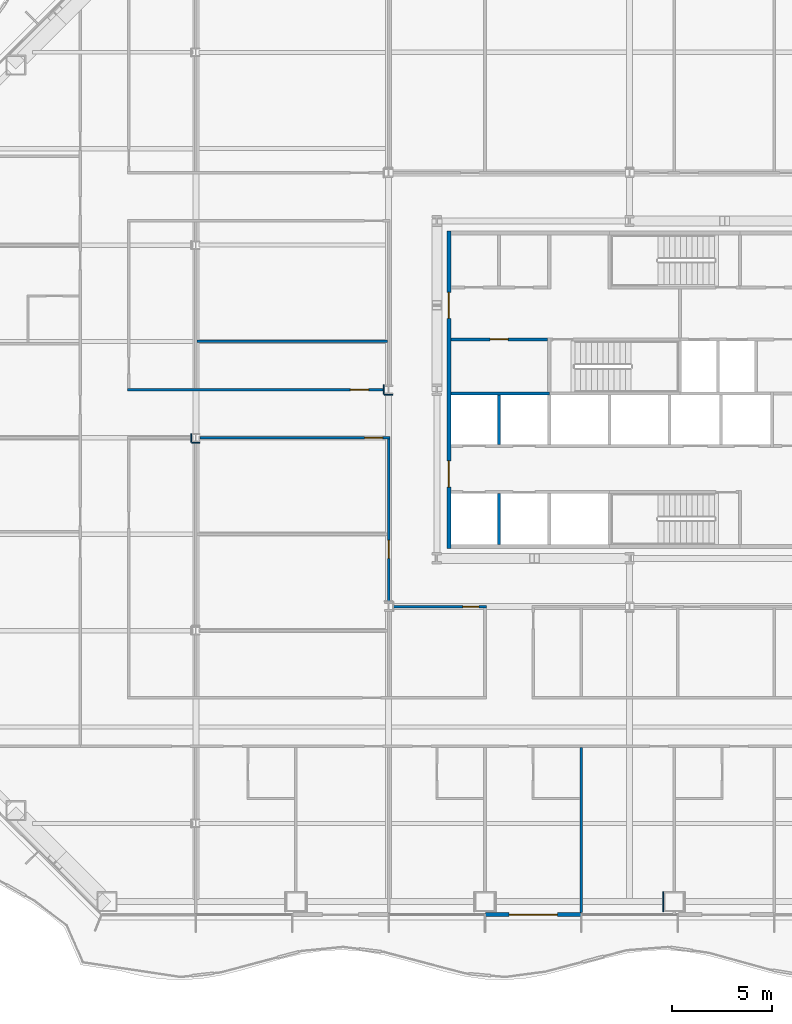
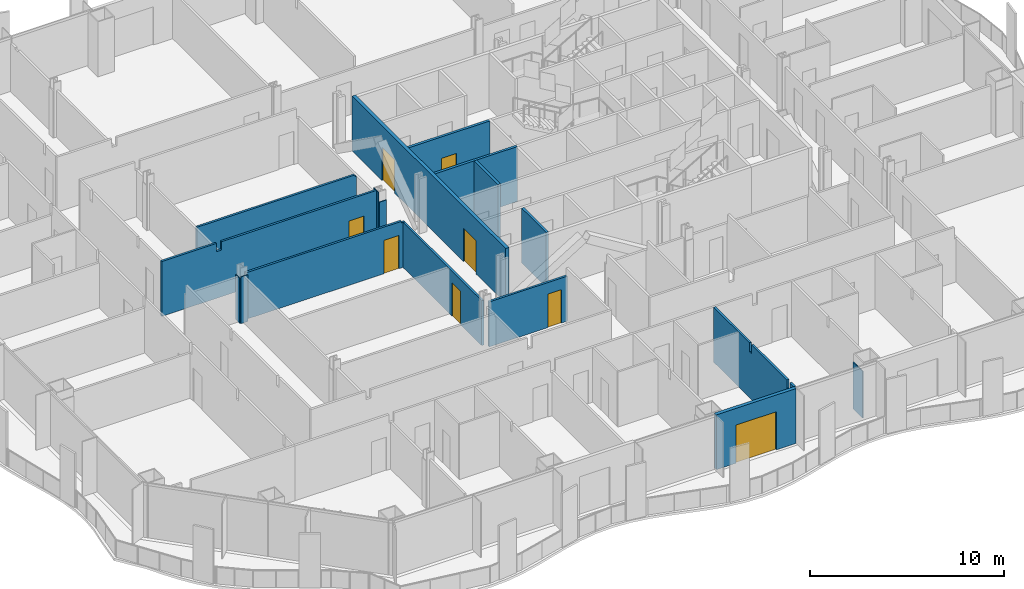
# One storey, part 8 of 21: 17 walls, 8 doors, 8 openings.
"""IFC4 building model written with IfcOpenShell, lengths in metres."""

from ifc_helpers import new_model, si_unit, direction, frame, frame_2d, origin, place, context, subcontext, project, spatial, polyline, rectangle, outline, extrude, material, layer, layer_set, type_object, element, fill, save


model = new_model("IFC4")

# Units and contexts
model_context = context("Model", 3, precision=1e-05, world=origin(), true_north=direction((0.0, 1.0)))
body_context = subcontext(model_context, "Body", "Model", "MODEL_VIEW")
ifc_project = project(units=[si_unit("LENGTHUNIT", "METRE"), si_unit("AREAUNIT", "SQUARE_METRE"), si_unit("VOLUMEUNIT", "CUBIC_METRE"), si_unit("PLANEANGLEUNIT", "RADIAN"), si_unit("MASSUNIT", "GRAM", prefix="KILO")], contexts=[model_context])

# Site, building, storey
site_placement = place(None, origin())
site = spatial("IfcSite", under=ifc_project, at=site_placement, CompositionType="ELEMENT")
building_placement = place(site_placement, origin())
building = spatial("IfcBuilding", under=site, at=building_placement, Name="Cairn Pilgrim Tower", CompositionType="ELEMENT")
storey_placement = place(building_placement, frame((0.0, 0.0, 43.800048828125)))
storey = spatial("IfcBuildingStorey", under=building, at=storey_placement, Name="L08", CompositionType="ELEMENT", Elevation=43.800048828125)

# Wall, opening, door
ifc_material_1 = material(Name="Bronze anodised aluminium insulated sandwich panel with mineral wool fill", Category="aluminium")
ifc_layer_1 = layer(ifc_material_1, 0.199951171875)
ifc_layer_set_1 = layer_set([ifc_layer_1], Name="BRONZE INFILL FRAME WALL 200")
wall_type_1 = type_object("IfcWallType", Name="BRONZE INFILL FRAME WALL 200", PredefinedType="NOTDEFINED", material=ifc_layer_set_1)
wall_1_placement = place(storey_placement, frame((0.030029296875, -23.75, 0.0), z_axis=(0.0, 0.0, 1.0), x_axis=(1.0, 0.0, 0.0)))
wall_1 = element("IfcWall", 1, at=wall_1_placement, inside=storey, type_object=wall_type_1, Name="Bronze infill frame wall IW-S5", PredefinedType="NOTDEFINED", context=body_context, shape_type="SweptSolid", body=[
    extrude(rectangle(XDim=4.739990234375, YDim=0.199951171875, at=frame_2d((2.3701171875, 0.0))), origin(), (0.0, 0.0, 1.0), 3.449951171875),
])
opening_1_placement = place(wall_1_placement, frame((1.169921875, 0.0, 0.0)))
opening_1 = element("IfcOpeningElement", 2, at=opening_1_placement, cuts=wall_1, Name="Opening 0805B", PredefinedType="OPENING", context=body_context, shape_type="SweptSolid", body=[
    extrude(rectangle(XDim=2.39990234375, YDim=2.39990234375, at=frame_2d((1.199951171875, 1.199951171875))), frame((0.0, 0.10986328125, 0.0), z_axis=(0.0, -1.0, 0.0), x_axis=(1.0, 0.0, 0.0)), (0.0, 0.0, 1.0), 0.219970703125),
])
ifc_material_2 = material(Name="Bronze anodised aluminium frame with tinted low-E glass", Category="aluminium")
door_type_1 = type_object("IfcDoorType", Name="BALCONY SLIDING DOOR 2400x2400", OperationType="DOUBLE_DOOR_SLIDING", PredefinedType="DOOR", material=ifc_material_2)
door_1_placement = place(opening_1_placement, origin())
door_1 = element("IfcDoor", 3, at=door_1_placement, inside=storey, type_object=door_type_1, Name="Balcony sliding door 0805B", OperationType="SINGLE_SWING_LEFT", OverallHeight=2.39990234375, OverallWidth=2.39990234375, PredefinedType="DOOR", context=body_context, shape_type="SweptSolid", body=[
    extrude(rectangle(XDim=2.39990234375, YDim=2.39990234375, at=frame_2d((1.199951171875, 1.199951171875))), frame((0.0, 0.02490234375, 0.0), z_axis=(0.0, -1.0, 0.0), x_axis=(1.0, 0.0, 0.0)), (0.0, 0.0, 1.0), 0.050048828125),
])
fill(opening_1, door_1)

# Wall, openings, doors
ifc_material_3 = material(Name="Concrete C32/40", Category="concrete")
ifc_layer_2 = layer(ifc_material_3, 0.199951171875)
ifc_layer_set_2 = layer_set([ifc_layer_2], Name="CORE OUTER WALL 200 EI 120")
wall_type_2 = type_object("IfcWallType", Name="CORE OUTER WALL 200 EI 120", PredefinedType="SOLIDWALL", material=ifc_layer_set_2)
wall_2_placement = place(storey_placement, frame((-1.800048828125, -5.5, 0.0), z_axis=(0.0, 0.0, 1.0), x_axis=(0.0, 1.0, 0.0)))
wall_2 = element("IfcWall", 4, at=wall_2_placement, inside=storey, type_object=wall_type_2, Name="CW:L08:V12", PredefinedType="SOLIDWALL", context=body_context, shape_type="SweptSolid", body=[
    extrude(rectangle(XDim=15.800048828125, YDim=0.199951171875, at=frame_2d((7.89990234375, 0.0))), origin(), (0.0, 0.0, 1.0), 3.449951171875),
])
opening_2_placement = place(wall_2_placement, frame((3.050048828125, 0.0, 0.0)))
opening_2 = element("IfcOpeningElement", 5, at=opening_2_placement, cuts=wall_2, Name="Opening CD-W1", PredefinedType="OPENING", context=body_context, shape_type="SweptSolid", body=[
    extrude(rectangle(XDim=1.300048828125, YDim=2.10009765625, at=frame_2d((0.64990234375, 1.050048828125))), frame((0.0, 0.10986328125, 0.0), z_axis=(0.0, -1.0, 0.0), x_axis=(1.0, 0.0, 0.0)), (0.0, 0.0, 1.0), 0.219970703125),
])
opening_3_placement = place(wall_2_placement, frame((11.449951171875, 0.0, 0.0)))
opening_3 = element("IfcOpeningElement", 6, at=opening_3_placement, cuts=wall_2, Name="Opening CD-W2", PredefinedType="OPENING", context=body_context, shape_type="SweptSolid", body=[
    extrude(rectangle(XDim=1.300048828125, YDim=2.10009765625, at=frame_2d((0.64990234375, 1.050048828125))), frame((0.0, 0.10986328125, 0.0), z_axis=(0.0, -1.0, 0.0), x_axis=(1.0, 0.0, 0.0)), (0.0, 0.0, 1.0), 0.219970703125),
])
ifc_material_4 = material(Name="Painted steel", Category="steel")
door_type_2 = type_object("IfcDoorType", Name="CORE LOBBY DOOR 1300x2100", OperationType="DOUBLE_DOOR_SINGLE_SWING", PredefinedType="DOOR", material=ifc_material_4)
door_2_placement = place(opening_2_placement, origin())
door_2 = element("IfcDoor", 7, at=door_2_placement, inside=storey, type_object=door_type_2, Name="CD-W1", OperationType="DOUBLE_DOOR_SINGLE_SWING", OverallHeight=2.10009765625, OverallWidth=1.300048828125, PredefinedType="DOOR", context=body_context, shape_type="SweptSolid", body=[
    extrude(rectangle(XDim=1.300048828125, YDim=2.10009765625, at=frame_2d((0.64990234375, 1.050048828125))), frame((0.0, 0.02490234375, 0.0), z_axis=(0.0, -1.0, 0.0), x_axis=(1.0, 0.0, 0.0)), (0.0, 0.0, 1.0), 0.050048828125),
])
fill(opening_2, door_2)
door_3_placement = place(opening_3_placement, origin())
door_3 = element("IfcDoor", 8, at=door_3_placement, inside=storey, type_object=door_type_2, Name="CD-W2", OperationType="DOUBLE_DOOR_SINGLE_SWING", OverallHeight=2.10009765625, OverallWidth=1.300048828125, PredefinedType="DOOR", context=body_context, shape_type="SweptSolid", body=[
    extrude(rectangle(XDim=1.300048828125, YDim=2.10009765625, at=frame_2d((0.64990234375, 1.050048828125))), frame((0.0, 0.02490234375, 0.0), z_axis=(0.0, -1.0, 0.0), x_axis=(1.0, 0.0, 0.0)), (0.0, 0.0, 1.0), 0.050048828125),
])
fill(opening_3, door_3)

# Wall, opening, door
ifc_layer_3 = layer(ifc_material_3, 0.14990234375)
ifc_layer_set_3 = layer_set([ifc_layer_3], Name="CORE PARTITION 150 EI 60")
wall_type_3 = type_object("IfcWallType", Name="CORE PARTITION 150 EI 60", PredefinedType="PARTITIONING", material=ifc_layer_set_3)
wall_3_placement = place(storey_placement, frame((-1.699951171875, 4.89990234375, 0.0), z_axis=(0.0, 0.0, 1.0), x_axis=(1.0, 0.0, 0.0)))
wall_3 = element("IfcWall", 9, at=wall_3_placement, inside=storey, type_object=wall_type_3, Name="CW:L08:H07", PredefinedType="PARTITIONING", context=body_context, shape_type="SweptSolid", body=[
    extrude(rectangle(XDim=4.824951171875, YDim=0.14990234375, at=frame_2d((2.41259765625, 0.0))), origin(), (0.0, 0.0, 1.0), 3.449951171875),
])
opening_4_placement = place(wall_3_placement, frame((1.949951171875, 0.0, 0.0)))
opening_4 = element("IfcOpeningElement", 10, at=opening_4_placement, cuts=wall_3, Name="Opening RD-R3W1", PredefinedType="OPENING", context=body_context, shape_type="SweptSolid", body=[
    extrude(rectangle(XDim=0.89990234375, YDim=2.10009765625, at=frame_2d((0.449951171875, 1.050048828125))), frame((0.0, 0.0849609375, 0.0), z_axis=(0.0, -1.0, 0.0), x_axis=(1.0, 0.0, 0.0)), (0.0, 0.0, 1.0), 0.169921875),
])
door_type_3 = type_object("IfcDoorType", Name="SERVICE ROOM DOOR 900x2100", OperationType="SINGLE_SWING_LEFT", PredefinedType="DOOR", material=ifc_material_4)
door_4_placement = place(opening_4_placement, origin())
door_4 = element("IfcDoor", 11, at=door_4_placement, inside=storey, type_object=door_type_3, Name="RD-R3W1", OperationType="SINGLE_SWING_LEFT", OverallHeight=2.10009765625, OverallWidth=0.89990234375, PredefinedType="DOOR", context=body_context, shape_type="SweptSolid", body=[
    extrude(rectangle(XDim=0.89990234375, YDim=2.10009765625, at=frame_2d((0.449951171875, 1.050048828125))), frame((0.0, 0.02490234375, 0.0), z_axis=(0.0, -1.0, 0.0), x_axis=(1.0, 0.0, 0.0)), (0.0, 0.0, 1.0), 0.050048828125),
])
fill(opening_4, door_4)

# Walls
ifc_layer_4 = layer(ifc_material_3, 0.14990234375)
ifc_layer_set_4 = layer_set([ifc_layer_4], Name="CORE SHAFT WALL 150 EI 120")
wall_type_4 = type_object("IfcWallType", Name="CORE SHAFT WALL 150 EI 120", PredefinedType="SOLIDWALL", material=ifc_layer_set_4)
wall_4_placement = place(storey_placement, frame((-1.699951171875, 2.199951171875, 0.0), z_axis=(0.0, 0.0, 1.0), x_axis=(1.0, 0.0, 0.0)))
element("IfcWall", 12, at=wall_4_placement, inside=storey, type_object=wall_type_4, Name="CW:L08:H05-1", PredefinedType="SOLIDWALL", context=body_context, shape_type="SweptSolid", body=[
    extrude(rectangle(XDim=4.89990234375, YDim=0.14990234375, at=frame_2d((2.449951171875, 0.0))), origin(), (0.0, 0.0, 1.0), 3.449951171875),
])
wall_5_placement = place(storey_placement, frame((0.699951171875, -5.300048828125, 0.0), z_axis=(0.0, 0.0, 1.0), x_axis=(0.0, 1.0, 0.0)))
element("IfcWall", 13, at=wall_5_placement, inside=storey, type_object=wall_type_4, Name="CW:L08:V13", PredefinedType="SOLIDWALL", context=body_context, shape_type="SweptSolid", body=[
    extrude(rectangle(XDim=2.525146484375, YDim=0.14990234375, at=frame_2d((1.2626953125, 0.0))), origin(), (0.0, 0.0, 1.0), 3.449951171875),
])
wall_6_placement = place(storey_placement, frame((0.699951171875, -0.324951171875, 0.0), z_axis=(0.0, 0.0, 1.0), x_axis=(0.0, 1.0, 0.0)))
element("IfcWall", 14, at=wall_6_placement, inside=storey, type_object=wall_type_4, Name="CW:L08:V14", PredefinedType="SOLIDWALL", context=body_context, shape_type="SweptSolid", body=[
    extrude(rectangle(XDim=2.449951171875, YDim=0.14990234375, at=frame_2d((1.22509765625, 0.0))), origin(), (0.0, 0.0, 1.0), 3.449951171875),
])
ifc_material_5 = material(Name="Gypsum partition")
ifc_layer_5 = layer(ifc_material_5, 0.125)
ifc_layer_set_5 = layer_set([ifc_layer_5], Name="PARTITION 125 DRYWALL EI 60")
wall_type_5 = type_object("IfcWallType", Name="PARTITION 125 DRYWALL EI 60", PredefinedType="PARTITIONING", material=ifc_layer_set_5)
wall_7_placement = place(storey_placement, frame((4.800048828125, -23.64990234375, 0.0), z_axis=(0.0, 0.0, 1.0), x_axis=(0.0, 1.0, 0.0)))
element("IfcWall", 15, at=wall_7_placement, inside=storey, type_object=wall_type_5, Name="PARTITION W003", PredefinedType="PARTITIONING", context=body_context, shape_type="SweptSolid", body=[
    extrude(outline(polyline([(0.0, 0.0), (8.2373046875, 0.0), (8.237548828125, 3.449951171875), (4.554931640625, 3.449951171875), (4.552978515625, 2.8798828125), (4.344970703125, 2.8798828125), (4.343017578125, 3.449951171875), (0.699951171875, 3.449951171875), (0.697998046875, 2.929931640625), (0.39990234375, 2.929931640625), (0.39794921875, 3.449951171875), (0.0, 3.449951171875), (0.0, 0.0)])), frame((0.0, 0.0625, 0.0), z_axis=(0.0, -1.0, 0.0), x_axis=(1.0, 0.0, 0.0)), (0.0, 0.0, 1.0), 0.125),
])

# Wall, opening, door
wall_8_placement = place(storey_placement, frame((-4.587890625, -8.39990234375, 0.0), z_axis=(0.0, 0.0, 1.0), x_axis=(1.0, 0.0, 0.0)))
wall_8 = element("IfcWall", 16, at=wall_8_placement, inside=storey, type_object=wall_type_5, Name="PARTITION W040", PredefinedType="PARTITIONING", context=body_context, shape_type="SweptSolid", body=[
    extrude(rectangle(XDim=4.650390625, YDim=0.125, at=frame_2d((2.3251953125, 0.0))), origin(), (0.0, 0.0, 1.0), 2.829833984375),
])
opening_5_placement = place(wall_8_placement, frame((3.488037109375, 0.0, 0.0)))
opening_5 = element("IfcOpeningElement", 17, at=opening_5_placement, cuts=wall_8, Name="Opening 0834", PredefinedType="OPENING", context=body_context, shape_type="SweptSolid", body=[
    extrude(rectangle(XDim=0.800048828125, YDim=2.10009765625, at=frame_2d((0.39990234375, 1.050048828125))), frame((0.0, 0.072509765625, 0.0), z_axis=(0.0, -1.0, 0.0), x_axis=(1.0, 0.0, 0.0)), (0.0, 0.0, 1.0), 0.14501953125),
])
ifc_material_6 = material(Name="Steel-faced fire door leaf", Category="steel")
door_type_4 = type_object("IfcDoorType", Name="FIRE DOOR 800x2100 FD30S", OperationType="NOTDEFINED", PredefinedType="DOOR", material=ifc_material_6)
door_5_placement = place(opening_5_placement, frame((0.800048828125, 0.0, 0.0), z_axis=(0.0, 0.0, 1.0), x_axis=(-1.0, 0.0, 0.0)))
door_5 = element("IfcDoor", 18, at=door_5_placement, inside=storey, type_object=door_type_4, Name="DOOR 0834", OperationType="SINGLE_SWING_LEFT", OverallHeight=2.10009765625, OverallWidth=0.800048828125, PredefinedType="DOOR", context=body_context, shape_type="SweptSolid", body=[
    extrude(rectangle(XDim=0.800048828125, YDim=2.10009765625, at=frame_2d((0.39990234375, 1.050048828125))), frame((0.0, 0.02490234375, 0.0), z_axis=(0.0, -1.0, 0.0), x_axis=(1.0, 0.0, 0.0)), (0.0, 0.0, 1.0), 0.050048828125),
])
fill(opening_5, door_5)

wall_9_placement = place(storey_placement, frame((-4.800048828125, -8.1630859375, 0.0), z_axis=(0.0, 0.0, 1.0), x_axis=(0.0, 1.0, 0.0)))
wall_9 = element("IfcWall", 19, at=wall_9_placement, inside=storey, type_object=wall_type_5, Name="PARTITION W043", PredefinedType="PARTITIONING", context=body_context, shape_type="SweptSolid", body=[
    extrude(rectangle(XDim=8.1005859375, YDim=0.125, at=frame_2d((4.05029296875, 0.0))), origin(), (0.0, 0.0, 1.0), 2.829833984375),
])
opening_6_placement = place(wall_9_placement, frame((2.1630859375, 0.0, 0.0)))
opening_6 = element("IfcOpeningElement", 20, at=opening_6_placement, cuts=wall_9, Name="Opening 0828", PredefinedType="OPENING", context=body_context, shape_type="SweptSolid", body=[
    extrude(rectangle(XDim=0.89990234375, YDim=2.10009765625, at=frame_2d((0.449951171875, 1.050048828125))), frame((0.0, 0.072509765625, 0.0), z_axis=(0.0, -1.0, 0.0), x_axis=(1.0, 0.0, 0.0)), (0.0, 0.0, 1.0), 0.14501953125),
])
door_type_5 = type_object("IfcDoorType", Name="FIRE DOOR 900x2100 FD30S", OperationType="NOTDEFINED", PredefinedType="DOOR", material=ifc_material_6)
door_6_placement = place(opening_6_placement, origin())
door_6 = element("IfcDoor", 21, at=door_6_placement, inside=storey, type_object=door_type_5, Name="DOOR 0828", OperationType="SINGLE_SWING_LEFT", OverallHeight=2.10009765625, OverallWidth=0.89990234375, PredefinedType="DOOR", context=body_context, shape_type="SweptSolid", body=[
    extrude(rectangle(XDim=0.89990234375, YDim=2.10009765625, at=frame_2d((0.449951171875, 1.050048828125))), frame((0.0, 0.02490234375, 0.0), z_axis=(0.0, -1.0, 0.0), x_axis=(1.0, 0.0, 0.0)), (0.0, 0.0, 1.0), 0.050048828125),
])
fill(opening_6, door_6)

wall_10_placement = place(storey_placement, frame((-14.195556640625, 0.0, 0.0), z_axis=(0.0, 0.0, 1.0), x_axis=(1.0, 0.0, 0.0)))
wall_10 = element("IfcWall", 22, at=wall_10_placement, inside=storey, type_object=wall_type_5, Name="PARTITION W055", PredefinedType="PARTITIONING", context=body_context, shape_type="SweptSolid", body=[
    extrude(outline(polyline([(0.0, 0.0), (9.4580078125, 0.0), (9.4580078125, 2.829833984375), (9.24560546875, 2.829833984375), (9.243408203125, 2.929931640625), (0.0, 2.929931640625), (0.0, 0.0)])), frame((0.0, 0.0625, 0.0), z_axis=(0.0, -1.0, 0.0), x_axis=(1.0, 0.0, 0.0)), (0.0, 0.0, 1.0), 0.125),
])
opening_7_placement = place(wall_10_placement, frame((8.195556640625, 0.0, 0.0)))
opening_7 = element("IfcOpeningElement", 23, at=opening_7_placement, cuts=wall_10, Name="Opening 0829", PredefinedType="OPENING", context=body_context, shape_type="SweptSolid", body=[
    extrude(rectangle(XDim=0.89990234375, YDim=2.10009765625, at=frame_2d((0.449951171875, 1.050048828125))), frame((0.0, 0.072509765625, 0.0), z_axis=(0.0, -1.0, 0.0), x_axis=(1.0, 0.0, 0.0)), (0.0, 0.0, 1.0), 0.14501953125),
])
door_7_placement = place(opening_7_placement, frame((0.89990234375, 0.0, 0.0), z_axis=(0.0, 0.0, 1.0), x_axis=(-1.0, 0.0, 0.0)))
door_7 = element("IfcDoor", 24, at=door_7_placement, inside=storey, type_object=door_type_5, Name="DOOR 0829", OperationType="SINGLE_SWING_RIGHT", OverallHeight=2.10009765625, OverallWidth=0.89990234375, PredefinedType="DOOR", context=body_context, shape_type="SweptSolid", body=[
    extrude(rectangle(XDim=0.89990234375, YDim=2.10009765625, at=frame_2d((0.449951171875, 1.050048828125))), frame((0.0, 0.02490234375, 0.0), z_axis=(0.0, -1.0, 0.0), x_axis=(1.0, 0.0, 0.0)), (0.0, 0.0, 1.0), 0.050048828125),
])
fill(opening_7, door_7)

wall_11_placement = place(storey_placement, frame((-17.8125, 2.39990234375, 0.0), z_axis=(0.0, 0.0, 1.0), x_axis=(1.0, 0.0, 0.0)))
wall_11 = element("IfcWall", 25, at=wall_11_placement, inside=storey, type_object=wall_type_5, Name="PARTITION W059", PredefinedType="PARTITIONING", context=body_context, shape_type="SweptSolid", body=[
    extrude(outline(polyline([(0.0, 0.0), (12.800537109375, 0.0), (12.800537109375, 3.449951171875), (3.5625, 3.449951171875), (3.560546875, 2.929931640625), (3.262451171875, 2.929931640625), (3.260498046875, 3.449951171875), (0.0, 3.449951171875), (0.0, 0.0)])), frame((0.0, 0.0625, 0.0), z_axis=(0.0, -1.0, 0.0), x_axis=(1.0, 0.0, 0.0)), (0.0, 0.0, 1.0), 0.125),
])
opening_8_placement = place(wall_11_placement, frame((11.112548828125, 0.0, 0.0)))
opening_8 = element("IfcOpeningElement", 26, at=opening_8_placement, cuts=wall_11, Name="Opening 0830", PredefinedType="OPENING", context=body_context, shape_type="SweptSolid", body=[
    extrude(rectangle(XDim=0.89990234375, YDim=2.10009765625, at=frame_2d((0.449951171875, 1.050048828125))), frame((0.0, 0.072509765625, 0.0), z_axis=(0.0, -1.0, 0.0), x_axis=(1.0, 0.0, 0.0)), (0.0, 0.0, 1.0), 0.14501953125),
])
door_8_placement = place(opening_8_placement, origin())
door_8 = element("IfcDoor", 27, at=door_8_placement, inside=storey, type_object=door_type_5, Name="DOOR 0830", OperationType="SINGLE_SWING_LEFT", OverallHeight=2.10009765625, OverallWidth=0.89990234375, PredefinedType="DOOR", context=body_context, shape_type="SweptSolid", body=[
    extrude(rectangle(XDim=0.89990234375, YDim=2.10009765625, at=frame_2d((0.449951171875, 1.050048828125))), frame((0.0, 0.02490234375, 0.0), z_axis=(0.0, -1.0, 0.0), x_axis=(1.0, 0.0, 0.0)), (0.0, 0.0, 1.0), 0.050048828125),
])
fill(opening_8, door_8)

# Walls
wall_12_placement = place(storey_placement, frame((-14.33740234375, 4.800048828125, 0.0), z_axis=(0.0, 0.0, 1.0), x_axis=(1.0, 0.0, 0.0)))
element("IfcWall", 28, at=wall_12_placement, inside=storey, type_object=wall_type_5, Name="PARTITION W067", PredefinedType="PARTITIONING", context=body_context, shape_type="SweptSolid", body=[
    extrude(outline(polyline([(0.0, 0.0), (9.474853515625, 0.0), (9.47509765625, 2.829833984375), (9.387451171875, 2.829833984375), (9.385498046875, 2.929931640625), (0.0, 2.929931640625), (0.0, 0.0)])), frame((0.0, 0.0625, 0.0), z_axis=(0.0, -1.0, 0.0), x_axis=(1.0, 0.0, 0.0)), (0.0, 0.0, 1.0), 0.125),
])
ifc_layer_6 = layer(ifc_material_5, 0.050048828125)
ifc_layer_set_6 = layer_set([ifc_layer_6], Name="PARTITION 50 DRYWALL EI 60")
wall_type_6 = type_object("IfcWallType", Name="PARTITION 50 DRYWALL EI 60", PredefinedType="PARTITIONING", material=ifc_layer_set_6)
wall_13_placement = place(storey_placement, frame((8.888671875, -23.60009765625, 0.0), z_axis=(0.0, 0.0, 1.0), x_axis=(0.0, 1.0, 0.0)))
element("IfcWall", 29, at=wall_13_placement, inside=storey, type_object=wall_type_6, Name="COLUMN CASING WC04", PredefinedType="PARTITIONING", context=body_context, shape_type="SweptSolid", body=[
    extrude(rectangle(XDim=1.0, YDim=0.050048828125, at=frame_2d((0.5, 0.0))), origin(), (0.0, 0.0, 1.0), 2.929931640625),
])
wall_14_placement = place(storey_placement, frame((-14.62939453125, -0.21240234375, 0.0), z_axis=(0.0, 0.0, 1.0), x_axis=(0.0, 1.0, 0.0)))
element("IfcWall", 30, at=wall_14_placement, inside=storey, type_object=wall_type_6, Name="COLUMN CASING WC13", PredefinedType="PARTITIONING", context=body_context, shape_type="SweptSolid", body=[
    extrude(rectangle(XDim=0.4248046875, YDim=0.050048828125, at=frame_2d((0.21240234375, 0.0))), origin(), (0.0, 0.0, 1.0), 2.829833984375),
])
wall_15_placement = place(storey_placement, frame((-14.6044921875, -0.237548828125, 0.0), z_axis=(0.0, 0.0, 1.0), x_axis=(1.0, 0.0, 0.0)))
element("IfcWall", 31, at=wall_15_placement, inside=storey, type_object=wall_type_6, Name="COLUMN CASING WC22", PredefinedType="PARTITIONING", context=body_context, shape_type="SweptSolid", body=[
    extrude(rectangle(XDim=0.408935546875, YDim=0.050048828125, at=frame_2d((0.20458984375, 0.0))), origin(), (0.0, 0.0, 1.0), 2.929931640625),
])
wall_16_placement = place(storey_placement, frame((-5.011962890625, 2.137939453125, 0.0), z_axis=(0.0, 0.0, 1.0), x_axis=(1.0, 0.0, 0.0)))
element("IfcWall", 32, at=wall_16_placement, inside=storey, type_object=wall_type_6, Name="COLUMN CASING WC24", PredefinedType="PARTITIONING", context=body_context, shape_type="SweptSolid", body=[
    extrude(rectangle(XDim=0.424072265625, YDim=0.050048828125, at=frame_2d((0.2119140625, 0.0))), origin(), (0.0, 0.0, 1.0), 2.829833984375),
])
wall_17_placement = place(storey_placement, frame((-5.037109375, 2.1630859375, 0.0), z_axis=(0.0, 0.0, 1.0), x_axis=(0.0, 1.0, 0.0)))
element("IfcWall", 33, at=wall_17_placement, inside=storey, type_object=wall_type_6, Name="COLUMN CASING WC26", PredefinedType="PARTITIONING", context=body_context, shape_type="SweptSolid", body=[
    extrude(rectangle(XDim=0.473876953125, YDim=0.050048828125, at=frame_2d((0.23681640625, 0.0))), origin(), (0.0, 0.0, 1.0), 3.449951171875),
])

save(model, "model.ifc")
